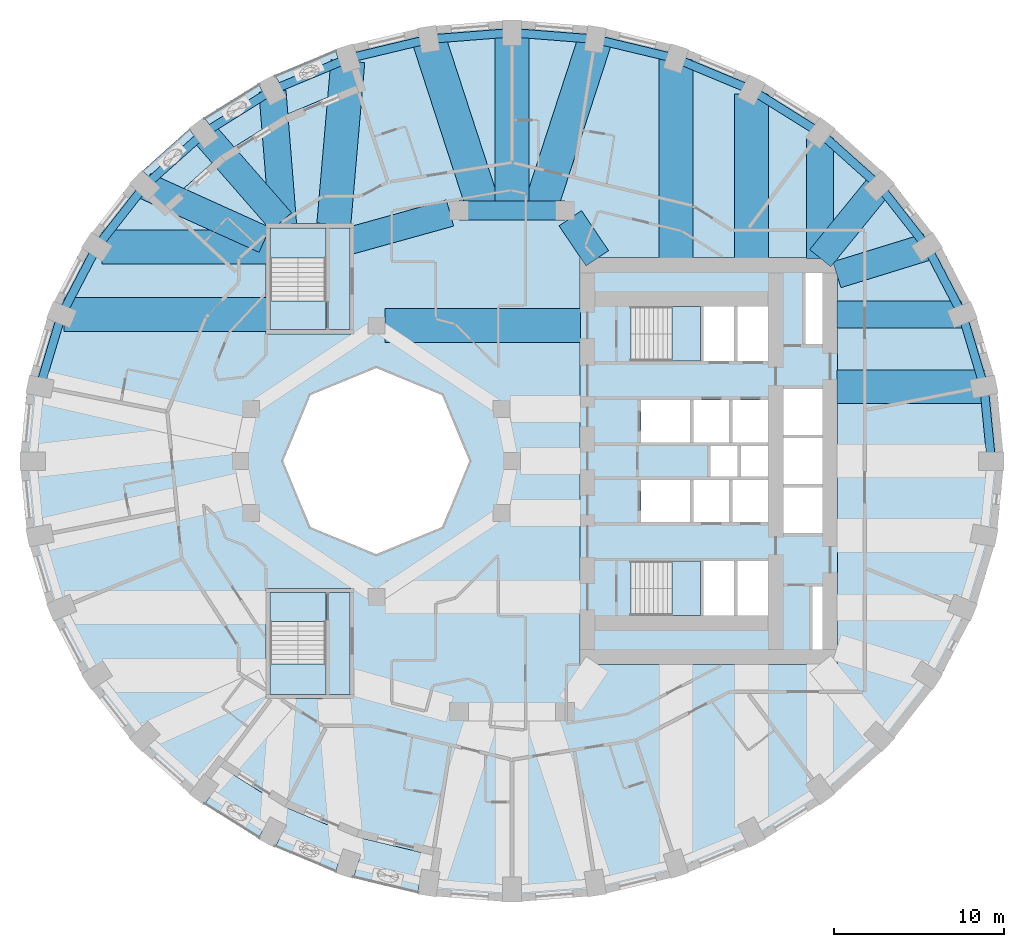
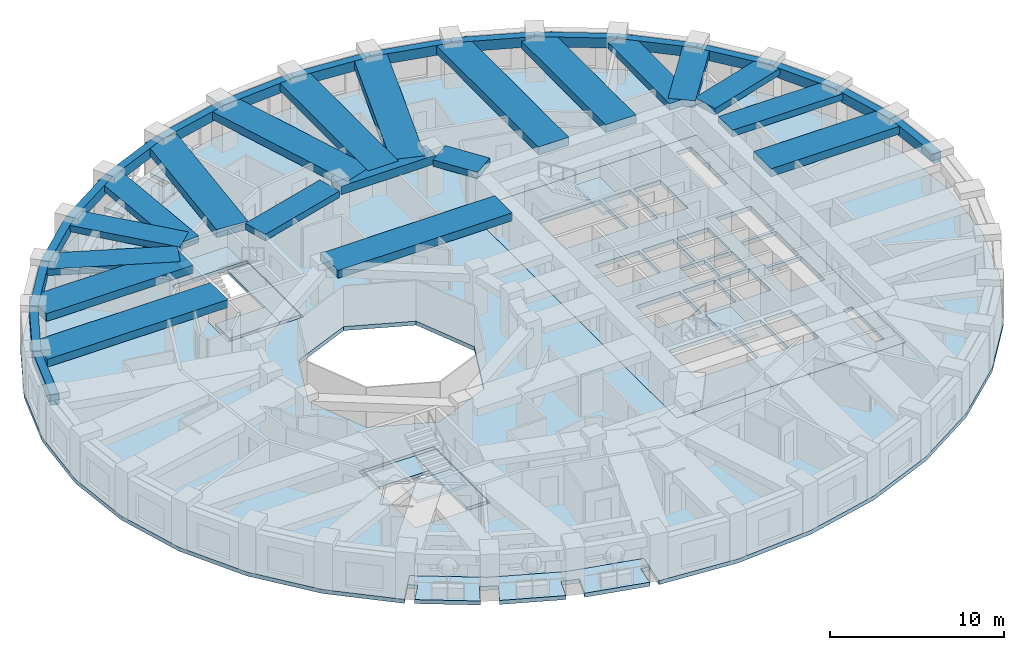
# One storey, part 2 of 13: 37 beams, 12 slabs, 4 elements without a shape of their own.
"""IFC4 building model written with IfcOpenShell, lengths in metres."""

from ifc_helpers import new_model, si_unit, direction, frame, origin, origin_2d, place, context, subcontext, project, spatial, polyline, rectangle, outline, extrude, material, layer, layer_set, material_profile, profile_set, type_object, element, aggregate, save


model = new_model("IFC4")

# Units and contexts
model_context = context("Model", 3, precision=1e-05, world=origin(), true_north=direction((0.0, 1.0)))
body_context = subcontext(model_context, "Body", "Model", "MODEL_VIEW")
ifc_project = project(units=[si_unit("LENGTHUNIT", "METRE"), si_unit("AREAUNIT", "SQUARE_METRE"), si_unit("VOLUMEUNIT", "CUBIC_METRE"), si_unit("PLANEANGLEUNIT", "RADIAN"), si_unit("MASSUNIT", "GRAM", prefix="KILO")], contexts=[model_context])

# Site, building, storey
site_placement = place(None, origin())
site = spatial("IfcSite", under=ifc_project, at=site_placement, CompositionType="ELEMENT")
building_placement = place(site_placement, origin())
building = spatial("IfcBuilding", under=site, at=building_placement, Name="Taillehof Tower", CompositionType="ELEMENT")
storey_placement = place(building_placement, frame((0.0, 0.0, 81.10009765625)))
storey = spatial("IfcBuildingStorey", under=building, at=storey_placement, Name="L22", CompositionType="ELEMENT", Elevation=81.10009765625)

# Beams
ifc_material_1 = material(Name="Concrete C50/60", Category="concrete")
ifc_material_profile_1 = material_profile(ifc_material_1, rectangle(XDim=1.10009765625, YDim=0.60009765625, at=origin_2d()), Name="RC 1100x600")
ifc_profile_set_1 = profile_set([ifc_material_profile_1], Name="Concrete C50/60")
beam_type_1 = type_object("IfcBeamType", Name="Mid-ring beam C50/60 1100x600", PredefinedType="BEAM", material=ifc_profile_set_1)
beam_1_placement = place(storey_placement, frame((3.125732421875, 14.772216796875, 2.5498046875), z_axis=(-1.0, 0.0, 0.0), x_axis=(0.0, -1.0, 0.0)))
element("IfcBeam", 1, at=beam_1_placement, inside=storey, type_object=beam_type_1, Name="Mid-ring beam MB01", PredefinedType="BEAM", context=body_context, shape_type="SweptSolid", body=[
    extrude(rectangle(XDim=1.10009765625, YDim=0.60009765625, at=origin_2d()), origin(), (0.0, 0.0, 1.0), 6.25146484375),
])
ifc_material_2 = material(Name="Concrete C50/60", Category="concrete")
ifc_material_profile_2 = material_profile(ifc_material_2, rectangle(XDim=1.60009765625, YDim=0.449951171875, at=origin_2d()), Name="RC 1600x450")
ifc_profile_set_2 = profile_set([ifc_material_profile_2], Name="Concrete C50/60")
beam_type_2 = type_object("IfcBeamType", Name="Radial band beam C50/60 1600x450", PredefinedType="BEAM", material=ifc_profile_set_2)
beam_2_placement = place(storey_placement, frame((26.490478515625, 8.635986328125, 2.625), z_axis=(-1.0, 0.0, 0.0), x_axis=(0.0, -1.0, 0.0)))
element("IfcBeam", 2, at=beam_2_placement, inside=storey, type_object=beam_type_2, Name="Radial band beam RB03", PredefinedType="BEAM", context=body_context, shape_type="SweptSolid", body=[
    extrude(rectangle(XDim=1.60009765625, YDim=0.449951171875, at=origin_2d()), origin(), (0.0, 0.0, 1.0), 7.340576171875),
])
beam_3_placement = place(storey_placement, frame((24.46533203125, 12.625, 2.625), z_axis=(-0.955535654338, -0.294875589511, 0.0), x_axis=(0.294875589511, -0.955535654338, 0.0)))
element("IfcBeam", 3, at=beam_3_placement, inside=storey, type_object=beam_type_2, Name="Radial band beam RB04", PredefinedType="BEAM", context=body_context, shape_type="SweptSolid", body=[
    extrude(rectangle(XDim=1.60009765625, YDim=0.449951171875, at=origin_2d()), origin(), (0.0, 0.0, 1.0), 5.560546875),
])
beam_4_placement = place(storey_placement, frame((21.640869140625, 16.23046875, 2.625), z_axis=(-0.630988373846, -0.775792286679, 0.0), x_axis=(0.775792286679, -0.630988373846, 0.0)))
element("IfcBeam", 4, at=beam_4_placement, inside=storey, type_object=beam_type_2, Name="Radial band beam RB05", PredefinedType="BEAM", context=body_context, shape_type="SweptSolid", body=[
    extrude(rectangle(XDim=1.60009765625, YDim=0.449951171875, at=origin_2d()), origin(), (0.0, 0.0, 1.0), 5.503173828125),
])
beam_5_placement = place(storey_placement, frame((18.15869140625, 19.05517578125, 2.625), z_axis=(0.0, -1.0, 0.0), x_axis=(1.0, 0.0, 0.0)))
element("IfcBeam", 5, at=beam_5_placement, inside=storey, type_object=beam_type_2, Name="Radial band beam RB06", PredefinedType="BEAM", context=body_context, shape_type="SweptSolid", body=[
    extrude(rectangle(XDim=1.60009765625, YDim=0.449951171875, at=origin_2d()), origin(), (0.0, 0.0, 1.0), 7.105224609375),
])
beam_6_placement = place(storey_placement, frame((-14.119873046875, 21.802978515625, 2.625), z_axis=(0.079184740988, -0.996859958467, 0.0), x_axis=(0.996859958467, 0.079184740988, 0.0)))
element("IfcBeam", 6, at=beam_6_placement, inside=storey, type_object=beam_type_2, Name="Radial band beam RB13", PredefinedType="BEAM", context=body_context, shape_type="SweptSolid", body=[
    extrude(rectangle(XDim=1.60009765625, YDim=0.449951171875, at=origin_2d()), origin(), (0.0, 0.0, 1.0), 7.87744140625),
])
beam_7_placement = place(storey_placement, frame((-18.15869140625, 19.342529296875, 2.625), z_axis=(0.65721824087, -0.753700327628, 0.0), x_axis=(0.753700327628, 0.65721824087, 0.0)))
element("IfcBeam", 7, at=beam_7_placement, inside=storey, type_object=beam_type_2, Name="Radial band beam RB14", PredefinedType="BEAM", context=body_context, shape_type="SweptSolid", body=[
    extrude(rectangle(XDim=1.60009765625, YDim=0.449951171875, at=origin_2d()), origin(), (0.0, 0.0, 1.0), 6.9384765625),
])
beam_8_placement = place(storey_placement, frame((-21.632568359375, 16.226806640625, 2.625), z_axis=(0.911100590789, -0.412184077161, 0.0), x_axis=(0.412184077161, 0.911100590789, 0.0)))
element("IfcBeam", 8, at=beam_8_placement, inside=storey, type_object=beam_type_2, Name="Radial band beam RB15", PredefinedType="BEAM", context=body_context, shape_type="SweptSolid", body=[
    extrude(rectangle(XDim=1.60009765625, YDim=0.449951171875, at=origin_2d()), origin(), (0.0, 0.0, 1.0), 7.740966796875),
])
beam_9_placement = place(storey_placement, frame((3.433837890625, 14.31640625, 2.625), z_axis=(0.560112043398, -0.828416862962, 0.0), x_axis=(0.828416862962, 0.560112043398, 0.0)))
element("IfcBeam", 9, at=beam_9_placement, inside=storey, type_object=beam_type_2, Name="Inner band beam IB205", PredefinedType="BEAM", context=body_context, shape_type="SweptSolid", body=[
    extrude(rectangle(XDim=1.60009765625, YDim=0.449951171875, at=origin_2d()), origin(), (0.0, 0.0, 1.0), 2.84619140625),
])
beam_10_placement = place(storey_placement, frame((-3.655517578125, 14.624755859375, 2.625), z_axis=(-0.963459369536, -0.267854518821, 0.0), x_axis=(0.267854518821, -0.963459369536, 0.0)))
element("IfcBeam", 10, at=beam_10_placement, inside=storey, type_object=beam_type_2, Name="Inner band beam IB206", PredefinedType="BEAM", context=body_context, shape_type="SweptSolid", body=[
    extrude(rectangle(XDim=1.60009765625, YDim=0.449951171875, at=origin_2d()), origin(), (0.0, 0.0, 1.0), 6.096923828125),
])
ifc_material_3 = material(Name="Concrete C50/60", Category="concrete")
ifc_material_profile_3 = material_profile(ifc_material_3, rectangle(XDim=2.0, YDim=0.550048828125, at=origin_2d()), Name="RC 2000x550")
ifc_profile_set_3 = profile_set([ifc_material_profile_3], Name="Concrete C50/60")
beam_type_3 = type_object("IfcBeamType", Name="Radial band beam C50/60 2000x550", PredefinedType="BEAM", material=ifc_profile_set_3)
beam_11_placement = place(storey_placement, frame((27.82080078125, 4.384521484375, 2.574951171875), z_axis=(-1.0, 0.0, 0.0), x_axis=(0.0, -1.0, 0.0)))
element("IfcBeam", 11, at=beam_11_placement, inside=storey, type_object=beam_type_3, Name="Radial band beam RB02", PredefinedType="BEAM", context=body_context, shape_type="SweptSolid", body=[
    extrude(rectangle(XDim=2.0, YDim=0.550048828125, at=origin_2d()), origin(), (0.0, 0.0, 1.0), 8.6708984375),
])
beam_12_placement = place(storey_placement, frame((14.125, 21.63232421875, 2.574951171875), z_axis=(0.0, -1.0, 0.0), x_axis=(1.0, 0.0, 0.0)))
element("IfcBeam", 12, at=beam_12_placement, inside=storey, type_object=beam_type_3, Name="Radial band beam RB07", PredefinedType="BEAM", context=body_context, shape_type="SweptSolid", body=[
    extrude(rectangle(XDim=2.0, YDim=0.550048828125, at=origin_2d()), origin(), (0.0, 0.0, 1.0), 9.682373046875),
])
beam_13_placement = place(storey_placement, frame((9.662109375, 23.664794921875, 2.574951171875), z_axis=(0.0, -1.0, 0.0), x_axis=(1.0, 0.0, 0.0)))
element("IfcBeam", 13, at=beam_13_placement, inside=storey, type_object=beam_type_3, Name="Radial band beam RB08", PredefinedType="BEAM", context=body_context, shape_type="SweptSolid", body=[
    extrude(rectangle(XDim=2.0, YDim=0.550048828125, at=origin_2d()), origin(), (0.0, 0.0, 1.0), 11.71484375),
])
beam_14_placement = place(storey_placement, frame((4.905517578125, 24.866455078125, 2.574951171875), z_axis=(-0.309014294595, -0.951057393503, 0.0), x_axis=(0.951057393503, -0.309014294595, 0.0)))
element("IfcBeam", 14, at=beam_14_placement, inside=storey, type_object=beam_type_3, Name="Radial band beam RB09", PredefinedType="BEAM", context=body_context, shape_type="SweptSolid", body=[
    extrude(rectangle(XDim=2.0, YDim=0.550048828125, at=origin_2d()), origin(), (0.0, 0.0, 1.0), 10.61376953125),
])
beam_15_placement = place(storey_placement, frame((0.0, 25.25, 2.574951171875), z_axis=(0.0, -1.0, 0.0), x_axis=(1.0, 0.0, 0.0)))
element("IfcBeam", 15, at=beam_15_placement, inside=storey, type_object=beam_type_3, Name="Radial band beam RB10", PredefinedType="BEAM", context=body_context, shape_type="SweptSolid", body=[
    extrude(rectangle(XDim=2.0, YDim=0.550048828125, at=origin_2d()), origin(), (0.0, 0.0, 1.0), 10.477783203125),
])
beam_16_placement = place(storey_placement, frame((-4.905517578125, 24.866455078125, 2.574951171875), z_axis=(0.309014294595, -0.951057393503, 0.0), x_axis=(0.951057393503, 0.309014294595, 0.0)))
element("IfcBeam", 16, at=beam_16_placement, inside=storey, type_object=beam_type_3, Name="Radial band beam RB11", PredefinedType="BEAM", context=body_context, shape_type="SweptSolid", body=[
    extrude(rectangle(XDim=2.0, YDim=0.550048828125, at=origin_2d()), origin(), (0.0, 0.0, 1.0), 10.61376953125),
])
beam_17_placement = place(storey_placement, frame((-9.675048828125, 23.575927734375, 2.574951171875), z_axis=(-0.085841202752, -0.996308831593, 0.0), x_axis=(0.996308831593, -0.085841202752, 0.0)))
element("IfcBeam", 17, at=beam_17_placement, inside=storey, type_object=beam_type_3, Name="Radial band beam RB12", PredefinedType="BEAM", context=body_context, shape_type="SweptSolid", body=[
    extrude(rectangle(XDim=2.0, YDim=0.550048828125, at=origin_2d()), origin(), (0.0, 0.0, 1.0), 9.661376953125),
])
beam_18_placement = place(storey_placement, frame((-24.172607421875, 12.625, 2.574951171875), z_axis=(1.0, 0.0, 0.0), x_axis=(0.0, 1.0, 0.0)))
element("IfcBeam", 18, at=beam_18_placement, inside=storey, type_object=beam_type_3, Name="Radial band beam RB16", PredefinedType="BEAM", context=body_context, shape_type="SweptSolid", body=[
    extrude(rectangle(XDim=2.0, YDim=0.550048828125, at=origin_2d()), origin(), (0.0, 0.0, 1.0), 9.72265625),
])
beam_19_placement = place(storey_placement, frame((-26.408935546875, 8.635986328125, 2.574951171875), z_axis=(1.0, 0.0, 0.0), x_axis=(0.0, 1.0, 0.0)))
element("IfcBeam", 19, at=beam_19_placement, inside=storey, type_object=beam_type_3, Name="Radial band beam RB17", PredefinedType="BEAM", context=body_context, shape_type="SweptSolid", body=[
    extrude(rectangle(XDim=2.0, YDim=0.550048828125, at=origin_2d()), origin(), (0.0, 0.0, 1.0), 11.958984375),
])
beam_20_placement = place(storey_placement, frame((-7.5, 8.0, 2.574951171875), z_axis=(1.0, 0.0, 0.0), x_axis=(0.0, 1.0, 0.0)))
element("IfcBeam", 20, at=beam_20_placement, inside=storey, type_object=beam_type_3, Name="Inner band beam IB105", PredefinedType="BEAM", context=body_context, shape_type="SweptSolid", body=[
    extrude(rectangle(XDim=2.0, YDim=0.550048828125, at=origin_2d()), origin(), (0.0, 0.0, 1.0), 11.550048828125),
])
ifc_material_4 = material(Name="Concrete C50/60", Category="concrete")
ifc_material_profile_4 = material_profile(ifc_material_4, rectangle(XDim=0.5, YDim=0.699951171875, at=origin_2d()), Name="RC 500x700")
ifc_profile_set_4 = profile_set([ifc_material_profile_4], Name="Concrete C50/60")
beam_type_4 = type_object("IfcBeamType", Name="Spandrel beam C50/60 500x700", PredefinedType="SPANDREL", material=ifc_profile_set_4)
beam_21_placement = place(storey_placement, frame((28.25, 0.0, 2.5), z_axis=(-0.097423973567, 0.99524297002, 0.0), x_axis=(-0.99524297002, -0.097423973567, 0.0)))
element("IfcBeam", 21, at=beam_21_placement, inside=storey, type_object=beam_type_4, Name="Spandrel beam SB01", PredefinedType="SPANDREL", context=body_context, shape_type="SweptSolid", body=[
    extrude(rectangle(XDim=0.5, YDim=0.699951171875, at=origin_2d()), origin(), (0.0, 0.0, 1.0), 4.405517578125),
])
beam_22_placement = place(storey_placement, frame((27.82080078125, 4.384521484375, 2.5), z_axis=(-0.287135925407, 0.957889847707, 0.0), x_axis=(-0.957889847707, -0.287135925407, 0.0)))
element("IfcBeam", 22, at=beam_22_placement, inside=storey, type_object=beam_type_4, Name="Spandrel beam SB02", PredefinedType="SPANDREL", context=body_context, shape_type="SweptSolid", body=[
    extrude(rectangle(XDim=0.5, YDim=0.699951171875, at=origin_2d()), origin(), (0.0, 0.0, 1.0), 4.4384765625),
])
beam_23_placement = place(storey_placement, frame((26.54638671875, 8.635986328125, 2.5), z_axis=(-0.462536335232, 0.886600326297, 0.0), x_axis=(-0.886600326297, -0.462536335232, 0.0)))
element("IfcBeam", 23, at=beam_23_placement, inside=storey, type_object=beam_type_4, Name="Spandrel beam SB03", PredefinedType="SPANDREL", context=body_context, shape_type="SweptSolid", body=[
    extrude(rectangle(XDim=0.5, YDim=0.699951171875, at=origin_2d()), origin(), (0.0, 0.0, 1.0), 4.499267578125),
])
beam_24_placement = place(storey_placement, frame((24.46533203125, 12.625, 2.5), z_axis=(-0.616686200373, 0.787209076593, 0.0), x_axis=(-0.787209076593, -0.616686200373, 0.0)))
element("IfcBeam", 24, at=beam_24_placement, inside=storey, type_object=beam_type_4, Name="Spandrel beam SB04", PredefinedType="SPANDREL", context=body_context, shape_type="SweptSolid", body=[
    extrude(rectangle(XDim=0.5, YDim=0.699951171875, at=origin_2d()), origin(), (0.0, 0.0, 1.0), 4.580078125),
])
beam_25_placement = place(storey_placement, frame((21.640869140625, 16.23046875, 2.5), z_axis=(-0.745621283614, 0.666369943366, 0.0), x_axis=(-0.666369943366, -0.745621283614, 0.0)))
element("IfcBeam", 25, at=beam_25_placement, inside=storey, type_object=beam_type_4, Name="Spandrel beam SB05", PredefinedType="SPANDREL", context=body_context, shape_type="SweptSolid", body=[
    extrude(rectangle(XDim=0.5, YDim=0.699951171875, at=origin_2d()), origin(), (0.0, 0.0, 1.0), 4.670166015625),
])
beam_26_placement = place(storey_placement, frame((18.15869140625, 19.342529296875, 2.5), z_axis=(-0.847658018883, 0.530543007703, 0.0), x_axis=(-0.530543007703, -0.847658018883, 0.0)))
element("IfcBeam", 26, at=beam_26_placement, inside=storey, type_object=beam_type_4, Name="Spandrel beam SB06", PredefinedType="SPANDREL", context=body_context, shape_type="SweptSolid", body=[
    extrude(rectangle(XDim=0.5, YDim=0.699951171875, at=origin_2d()), origin(), (0.0, 0.0, 1.0), 4.758544921875),
])
beam_27_placement = place(storey_placement, frame((14.125, 21.8671875, 2.5), z_axis=(-0.923035088053, 0.384715773297, 0.0), x_axis=(-0.384715773297, -0.923035088053, 0.0)))
element("IfcBeam", 27, at=beam_27_placement, inside=storey, type_object=beam_type_4, Name="Spandrel beam SB07", PredefinedType="SPANDREL", context=body_context, shape_type="SweptSolid", body=[
    extrude(rectangle(XDim=0.5, YDim=0.699951171875, at=origin_2d()), origin(), (0.0, 0.0, 1.0), 4.8349609375),
])
beam_28_placement = place(storey_placement, frame((9.662109375, 23.727294921875, 2.5), z_axis=(-0.9724995553, 0.232904733616, 0.0), x_axis=(-0.232904733616, -0.9724995553, 0.0)))
element("IfcBeam", 28, at=beam_28_placement, inside=storey, type_object=beam_type_4, Name="Spandrel beam SB08", PredefinedType="SPANDREL", context=body_context, shape_type="SweptSolid", body=[
    extrude(rectangle(XDim=0.5, YDim=0.699951171875, at=origin_2d()), origin(), (0.0, 0.0, 1.0), 4.89111328125),
])
for number, where, z_axis, x_axis, name in (
    (29, (4.905517578125, 24.866455078125, 2.5), (-0.996957383661, 0.077948541767, 0.0), (-0.077948541767, -0.996957383661, 0.0), "Spandrel beam SB09"),
    (30, (0.0, 25.25, 2.5), (-0.996957383661, -0.077948541767, 0.0), (0.077948541767, -0.996957383661, 0.0), "Spandrel beam SB10"),
):
    element("IfcBeam", number, at=place(storey_placement, frame(where, z_axis=z_axis, x_axis=x_axis)), inside=storey, type_object=beam_type_4, Name=name, PredefinedType="SPANDREL", context=body_context, shape_type="SweptSolid", body=[
        extrude(rectangle(XDim=0.5, YDim=0.699951171875, at=origin_2d()), origin(), (0.0, 0.0, 1.0), 4.92041015625),
    ])
beam_29_placement = place(storey_placement, frame((-4.905517578125, 24.866455078125, 2.5), z_axis=(-0.9724995553, -0.232904733616, 0.0), x_axis=(0.232904733616, -0.9724995553, 0.0)))
element("IfcBeam", 31, at=beam_29_placement, inside=storey, type_object=beam_type_4, Name="Spandrel beam SB11", PredefinedType="SPANDREL", context=body_context, shape_type="SweptSolid", body=[
    extrude(rectangle(XDim=0.5, YDim=0.699951171875, at=origin_2d()), origin(), (0.0, 0.0, 1.0), 4.89111328125),
])
beam_30_placement = place(storey_placement, frame((-9.662109375, 23.727294921875, 2.5), z_axis=(-0.923035088053, -0.384715773297, 0.0), x_axis=(0.384715773297, -0.923035088053, 0.0)))
element("IfcBeam", 32, at=beam_30_placement, inside=storey, type_object=beam_type_4, Name="Spandrel beam SB12", PredefinedType="SPANDREL", context=body_context, shape_type="SweptSolid", body=[
    extrude(rectangle(XDim=0.5, YDim=0.699951171875, at=origin_2d()), origin(), (0.0, 0.0, 1.0), 4.8349609375),
])
beam_31_placement = place(storey_placement, frame((-14.125, 21.8671875, 2.5), z_axis=(-0.847658018883, -0.530543007703, 0.0), x_axis=(0.530543007703, -0.847658018883, 0.0)))
element("IfcBeam", 33, at=beam_31_placement, inside=storey, type_object=beam_type_4, Name="Spandrel beam SB13", PredefinedType="SPANDREL", context=body_context, shape_type="SweptSolid", body=[
    extrude(rectangle(XDim=0.5, YDim=0.699951171875, at=origin_2d()), origin(), (0.0, 0.0, 1.0), 4.758544921875),
])
beam_32_placement = place(storey_placement, frame((-18.15869140625, 19.342529296875, 2.5), z_axis=(-0.745621283614, -0.666369943366, 0.0), x_axis=(0.666369943366, -0.745621283614, 0.0)))
element("IfcBeam", 34, at=beam_32_placement, inside=storey, type_object=beam_type_4, Name="Spandrel beam SB14", PredefinedType="SPANDREL", context=body_context, shape_type="SweptSolid", body=[
    extrude(rectangle(XDim=0.5, YDim=0.699951171875, at=origin_2d()), origin(), (0.0, 0.0, 1.0), 4.670166015625),
])
beam_33_placement = place(storey_placement, frame((-21.640869140625, 16.23046875, 2.5), z_axis=(-0.616686200373, -0.787209076593, 0.0), x_axis=(0.787209076593, -0.616686200373, 0.0)))
element("IfcBeam", 35, at=beam_33_placement, inside=storey, type_object=beam_type_4, Name="Spandrel beam SB15", PredefinedType="SPANDREL", context=body_context, shape_type="SweptSolid", body=[
    extrude(rectangle(XDim=0.5, YDim=0.699951171875, at=origin_2d()), origin(), (0.0, 0.0, 1.0), 4.580078125),
])
beam_34_placement = place(storey_placement, frame((-24.46533203125, 12.625, 2.5), z_axis=(-0.462536335232, -0.886600326297, 0.0), x_axis=(0.886600326297, -0.462536335232, 0.0)))
element("IfcBeam", 36, at=beam_34_placement, inside=storey, type_object=beam_type_4, Name="Spandrel beam SB16", PredefinedType="SPANDREL", context=body_context, shape_type="SweptSolid", body=[
    extrude(rectangle(XDim=0.5, YDim=0.699951171875, at=origin_2d()), origin(), (0.0, 0.0, 1.0), 4.499267578125),
])
beam_35_placement = place(storey_placement, frame((-26.54638671875, 8.635986328125, 2.5), z_axis=(-0.287135925407, -0.957889847707, 0.0), x_axis=(0.957889847707, -0.287135925407, 0.0)))
element("IfcBeam", 37, at=beam_35_placement, inside=storey, type_object=beam_type_4, Name="Spandrel beam SB17", PredefinedType="SPANDREL", context=body_context, shape_type="SweptSolid", body=[
    extrude(rectangle(XDim=0.5, YDim=0.699951171875, at=origin_2d()), origin(), (0.0, 0.0, 1.0), 4.4384765625),
])

# Slabs
ifc_material_5 = material(Name="Concrete C40/50", Category="concrete")
ifc_layer_1 = layer(ifc_material_5, 0.280029296875)
ifc_layer_set_1 = layer_set([ifc_layer_1], Name="Balcony slab 280")
slab_type_1 = type_object("IfcSlabType", Name="Balcony slab 280", PredefinedType="USERDEFINED", material=ifc_layer_set_1)
slab_1_placement = place(storey_placement, frame((0.0, 0.0, -0.280029296875)))
element("IfcSlab", 38, at=slab_1_placement, inside=storey, type_object=slab_type_1, Name="Balcony L22 pocket 3", ObjectType="BALCONY", PredefinedType="USERDEFINED", context=body_context, shape_type="SweptSolid", body=[
    extrude(outline(polyline([(-20.463134765625, 15.072509765625), (-21.120849609375, 15.688232421875), (-20.71728515625, 16.119384765625), (-21.77392578125, 17.108154296875), (-19.02197265625, 19.575439453125), (-18.1474609375, 18.41259765625), (-17.268310546875, 19.073974609375), (-18.139404296875, 20.23193359375), (-14.938232421875, 22.24169921875), (-14.2685546875, 20.9482421875), (-13.291748046875, 21.453857421875), (-13.958984375, 22.742919921875), (-10.404296875, 24.22900390625), (-9.9521484375, 22.843505859375), (-9.453369140625, 23.00634765625), (-9.174072265625, 22.150390625), (-13.396728515625, 20.38525390625), (-17.197998046875, 17.999267578125), (-20.463134765625, 15.072509765625)])), origin(), (0.0, 0.0, 1.0), 0.280029296875),
])
slab_2_placement = place(storey_placement, frame((0.0, 0.0, -0.280029296875)))
element("IfcSlab", 39, at=slab_2_placement, inside=storey, type_object=slab_type_1, Name="Balcony L22 pocket 7", ObjectType="BALCONY", PredefinedType="USERDEFINED", context=body_context, shape_type="SweptSolid", body=[
    extrude(outline(polyline([(-4.6611328125, -23.234375), (-4.801513671875, -24.12353515625), (-5.331787109375, -24.039794921875), (-5.559326171875, -25.479248046875), (-9.357421875, -24.56689453125), (-8.906494140625, -23.184814453125), (-9.9521484375, -22.843505859375), (-10.404296875, -24.22900390625), (-13.958984375, -22.742919921875), (-13.291748046875, -21.453857421875), (-14.2685546875, -20.9482421875), (-14.938232421875, -22.24169921875), (-18.139404296875, -20.23193359375), (-17.268310546875, -19.073974609375), (-17.73974609375, -18.71923828125), (-17.197998046875, -17.999267578125), (-13.396728515625, -20.38525390625), (-9.174072265625, -22.150390625), (-4.6611328125, -23.234375)])), origin(), (0.0, 0.0, 1.0), 0.280029296875),
])
ifc_material_6 = material(Name="Concrete C40/50", Category="concrete")
ifc_layer_2 = layer(ifc_material_6, 0.280029296875)
ifc_layer_set_2 = layer_set([ifc_layer_2], Name="Core floor slab C40/50 280")
slab_type_2 = type_object("IfcSlabType", Name="Core floor slab C40/50 280", PredefinedType="FLOOR", material=ifc_layer_set_2)
slab_3_placement = place(storey_placement, frame((0.0, 0.0, -0.280029296875)))
element("IfcSlab", 40, at=slab_3_placement, inside=storey, type_object=slab_type_2, Name="Core floor L22", PredefinedType="FLOOR", context=body_context, shape_type="SweptSolid", body=[
    extrude(outline(polyline([(4.0, -12.0), (4.0, 12.0), (19.199951171875, 12.0), (19.199951171875, -12.0), (4.0, -12.0)]), holes=[polyline([(7.00048828125, -9.10009765625), (11.10009765625, -9.10009765625), (11.10009765625, -5.89990234375), (7.00048828125, -5.89990234375), (7.00048828125, -9.10009765625)]), polyline([(13.10009765625, -9.10009765625), (13.10009765625, -5.89990234375), (11.300048828125, -5.89990234375), (11.300048828125, -9.10009765625), (13.10009765625, -9.10009765625)]), polyline([(10.5, -3.60009765625), (10.5, -1.10009765625), (7.60009765625, -1.10009765625), (7.60009765625, -3.60009765625), (10.5, -3.60009765625)]), polyline([(12.800048828125, -3.60009765625), (12.800048828125, -1.10009765625), (10.699951171875, -1.10009765625), (10.699951171875, -3.60009765625), (12.800048828125, -3.60009765625)]), polyline([(13.300048828125, -0.89990234375), (13.300048828125, 0.89990234375), (11.699951171875, 0.89990234375), (11.699951171875, -0.89990234375), (13.300048828125, -0.89990234375)]), polyline([(10.5, 1.10009765625), (10.5, 3.60009765625), (7.60009765625, 3.60009765625), (7.60009765625, 1.10009765625), (10.5, 1.10009765625)]), polyline([(12.800048828125, 1.10009765625), (12.800048828125, 3.60009765625), (10.699951171875, 3.60009765625), (10.699951171875, 1.10009765625), (12.800048828125, 1.10009765625)]), polyline([(13.0, 1.10009765625), (15.10009765625, 1.10009765625), (15.10009765625, 3.60009765625), (13.0, 3.60009765625), (13.0, 1.10009765625)]), polyline([(11.300048828125, 5.89990234375), (13.10009765625, 5.89990234375), (13.10009765625, 9.10009765625), (11.300048828125, 9.10009765625), (11.300048828125, 5.89990234375)]), polyline([(11.10009765625, 5.89990234375), (11.10009765625, 9.10009765625), (7.00048828125, 9.10009765625), (7.00048828125, 5.89990234375), (11.10009765625, 5.89990234375)]), polyline([(18.300048828125, -11.10009765625), (18.300048828125, -7.39990234375), (17.699951171875, -7.39990234375), (17.699951171875, -11.10009765625), (18.300048828125, -11.10009765625)]), polyline([(15.10009765625, -9.10009765625), (15.10009765625, -5.89990234375), (13.300048828125, -5.89990234375), (13.300048828125, -9.10009765625), (15.10009765625, -9.10009765625)]), polyline([(16.0, -4.25), (18.300048828125, -4.25), (18.300048828125, -1.550048828125), (16.0, -1.550048828125), (16.0, -4.25)]), polyline([(13.0, -3.60009765625), (15.10009765625, -3.60009765625), (15.10009765625, -1.10009765625), (13.0, -1.10009765625), (13.0, -3.60009765625)]), polyline([(15.10009765625, -0.89990234375), (15.10009765625, 0.89990234375), (13.5, 0.89990234375), (13.5, -0.89990234375), (15.10009765625, -0.89990234375)]), polyline([(18.300048828125, -1.35009765625), (18.300048828125, 1.35009765625), (16.0, 1.35009765625), (16.0, -1.35009765625), (18.300048828125, -1.35009765625)]), polyline([(18.300048828125, 1.550048828125), (18.300048828125, 4.25), (16.0, 4.25), (16.0, 1.550048828125), (18.300048828125, 1.550048828125)]), polyline([(13.300048828125, 5.89990234375), (15.10009765625, 5.89990234375), (15.10009765625, 9.10009765625), (13.300048828125, 9.10009765625), (13.300048828125, 5.89990234375)]), polyline([(17.300048828125, 6.89990234375), (18.300048828125, 6.89990234375), (18.300048828125, 11.10009765625), (17.300048828125, 11.10009765625), (17.300048828125, 6.89990234375)])]), origin(), (0.0, 0.0, 1.0), 0.280029296875),
])
ifc_material_7 = material(Name="Concrete C40/50", Category="concrete")
ifc_layer_3 = layer(ifc_material_7, 0.280029296875)
ifc_layer_set_3 = layer_set([ifc_layer_3], Name="Floor slab 280")
slab_type_3 = type_object("IfcSlabType", Name="Floor slab 280", PredefinedType="FLOOR", material=ifc_layer_set_3)
slab_4_placement = place(storey_placement, frame((0.0, 0.0, -0.280029296875)))
element("IfcSlab", 41, at=slab_4_placement, inside=storey, type_object=slab_type_3, Name="Floor slab L22", PredefinedType="FLOOR", context=body_context, shape_type="SweptSolid", body=[
    extrude(outline(polyline([(29.0, 0.0), (28.559326171875, 4.514892578125), (27.251220703125, 8.892578125), (25.11474609375, 13.0), (22.21533203125, 16.71240234375), (18.640869140625, 19.917236328125), (14.5, 22.5166015625), (9.918701171875, 24.431884765625), (5.035888671875, 25.60498046875), (0.0, 26.0), (-5.035888671875, 25.60498046875), (-9.918701171875, 24.431884765625), (-9.174072265625, 22.150390625), (-13.396728515625, 20.38525390625), (-17.197998046875, 17.999267578125), (-20.462890625, 15.072509765625), (-22.21533203125, 16.71240234375), (-25.11474609375, 13.0), (-27.251220703125, 8.892578125), (-28.559326171875, 4.514892578125), (-29.0, 0.0), (-28.559326171875, -4.514892578125), (-27.251220703125, -8.892578125), (-25.11474609375, -13.0), (-22.21533203125, -16.71240234375), (-18.640869140625, -19.917236328125), (-17.197998046875, -17.999267578125), (-13.396728515625, -20.38525390625), (-9.174072265625, -22.150390625), (-4.660888671875, -23.234375), (-5.035888671875, -25.60498046875), (0.0, -26.0), (5.035888671875, -25.60498046875), (9.918701171875, -24.431884765625), (14.5, -22.5166015625), (18.640869140625, -19.917236328125), (22.21533203125, -16.71240234375), (25.11474609375, -13.0), (27.251220703125, -8.892578125), (28.559326171875, -4.514892578125), (29.0, 0.0)]), holes=[polyline([(-14.5, -7.5), (-9.5, -7.5), (-9.5, -14.0), (-14.5, -14.0), (-14.5, -7.5)]), polyline([(-8.0, -5.5), (-11.88916015625, -3.88916015625), (-13.5, 0.0), (-11.88916015625, 3.88916015625), (-8.0, 5.5), (-4.11083984375, 3.88916015625), (-2.5, 0.0), (-4.11083984375, -3.88916015625), (-8.0, -5.5)]), polyline([(19.199951171875, 12.0), (19.199951171875, -12.0), (4.0, -12.0), (4.0, 12.0), (19.199951171875, 12.0)]), polyline([(-14.5, 14.0), (-9.5, 14.0), (-9.5, 7.5), (-14.5, 7.5), (-14.5, 14.0)])]), origin(), (0.0, 0.0, 1.0), 0.280029296875),
])

# Stair, slab
ifc_material_8 = material(Name="Concrete C40/50", Category="concrete")
stair_type = type_object("IfcStairType", Name="Exit stair half-turn", PredefinedType="HALF_TURN_STAIR", material=ifc_material_8)
stair_1_placement = place(storey_placement, origin())
stair_1 = element("IfcStair", 42, at=stair_1_placement, inside=storey, type_object=stair_type, Name="Exit stair S1", PredefinedType="HALF_TURN_STAIR")
ifc_material_9 = material(Name="Concrete C40/50", Category="concrete")
ifc_layer_4 = layer(ifc_material_9, 0.2099609375)
ifc_layer_set_4 = layer_set([ifc_layer_4], Name="Stair landing C40/50 210")
slab_type_4 = type_object("IfcSlabType", Name="Stair landing C40/50 210", PredefinedType="LANDING", material=ifc_layer_set_4)
slab_5_placement = place(storey_placement, frame((0.0, 0.0, 1.43994140625)))
slab_5 = element("IfcSlab", 43, at=slab_5_placement, type_object=slab_type_4, Name="S1 landing 1", PredefinedType="LANDING", context=body_context, shape_type="SweptSolid", body=[
    extrude(outline(polyline([(9.429931640625, 5.89990234375), (11.10009765625, 5.89990234375), (11.10009765625, 9.10009765625), (9.429931640625, 9.10009765625), (9.429931640625, 5.89990234375)])), origin(), (0.0, 0.0, 1.0), 0.2099609375),
])
aggregate(stair_1, [slab_5])

stair_2_placement = place(storey_placement, origin())
stair_2 = element("IfcStair", 44, at=stair_2_placement, inside=storey, type_object=stair_type, Name="Exit stair S2", PredefinedType="HALF_TURN_STAIR")
slab_6_placement = place(storey_placement, frame((0.0, 0.0, 1.43994140625)))
slab_6 = element("IfcSlab", 45, at=slab_6_placement, type_object=slab_type_4, Name="S2 landing 1", PredefinedType="LANDING", context=body_context, shape_type="SweptSolid", body=[
    extrude(outline(polyline([(9.429931640625, -5.89990234375), (11.10009765625, -5.89990234375), (11.10009765625, -9.10009765625), (9.429931640625, -9.10009765625), (9.429931640625, -5.89990234375)])), origin(), (0.0, 0.0, 1.0), 0.2099609375),
])
aggregate(stair_2, [slab_6])

stair_3_placement = place(storey_placement, origin())
stair_3 = element("IfcStair", 46, at=stair_3_placement, inside=storey, type_object=stair_type, Name="Exit stair S3", PredefinedType="HALF_TURN_STAIR")
slab_7_placement = place(storey_placement, frame((0.0, 0.0, 1.43994140625)))
slab_7 = element("IfcSlab", 47, at=slab_7_placement, type_object=slab_type_4, Name="S3 landing 1", PredefinedType="LANDING", context=body_context, shape_type="SweptSolid", body=[
    extrude(outline(polyline([(-14.25, 11.969970703125), (-14.25, 13.75), (-10.949951171875, 13.75), (-10.949951171875, 11.969970703125), (-14.25, 11.969970703125)])), origin(), (0.0, 0.0, 1.0), 0.2099609375),
])
aggregate(stair_3, [slab_7])

stair_4_placement = place(storey_placement, origin())
stair_4 = element("IfcStair", 48, at=stair_4_placement, inside=storey, type_object=stair_type, Name="Exit stair S4", PredefinedType="HALF_TURN_STAIR")
slab_8_placement = place(storey_placement, frame((0.0, 0.0, 1.43994140625)))
slab_8 = element("IfcSlab", 49, at=slab_8_placement, type_object=slab_type_4, Name="S4 landing 1", PredefinedType="LANDING", context=body_context, shape_type="SweptSolid", body=[
    extrude(outline(polyline([(-14.25, -11.969970703125), (-14.25, -13.75), (-10.949951171875, -13.75), (-10.949951171875, -11.969970703125), (-14.25, -11.969970703125)])), origin(), (0.0, 0.0, 1.0), 0.2099609375),
])
aggregate(stair_4, [slab_8])

# Slabs
slab_9_placement = place(storey_placement, frame((0.0, 0.0, -0.210205078125)))
element("IfcSlab", 50, at=slab_9_placement, inside=storey, type_object=slab_type_4, Name="Stair S3 floor landing", PredefinedType="LANDING", context=body_context, shape_type="SweptSolid", body=[
    extrude(outline(polyline([(-14.25, 7.75), (-14.25, 9.449951171875), (-10.949951171875, 9.449951171875), (-10.949951171875, 7.75), (-14.25, 7.75)])), origin(), (0.0, 0.0, 1.0), 0.210205078125),
])
slab_10_placement = place(storey_placement, frame((0.0, 0.0, -0.210205078125)))
element("IfcSlab", 51, at=slab_10_placement, inside=storey, type_object=slab_type_4, Name="Stair lobby S3 floor", PredefinedType="LANDING", context=body_context, shape_type="SweptSolid", body=[
    extrude(outline(polyline([(-10.949951171875, 7.75), (-9.550048828125, 7.75), (-9.550048828125, 13.75), (-10.949951171875, 13.75), (-10.949951171875, 7.75)])), origin(), (0.0, 0.0, 1.0), 0.210205078125),
])
slab_11_placement = place(storey_placement, frame((0.0, 0.0, -0.210205078125)))
element("IfcSlab", 52, at=slab_11_placement, inside=storey, type_object=slab_type_4, Name="Stair S4 floor landing", PredefinedType="LANDING", context=body_context, shape_type="SweptSolid", body=[
    extrude(outline(polyline([(-14.25, -7.75), (-14.25, -9.449951171875), (-10.949951171875, -9.449951171875), (-10.949951171875, -7.75), (-14.25, -7.75)])), origin(), (0.0, 0.0, 1.0), 0.210205078125),
])
slab_12_placement = place(storey_placement, frame((0.0, 0.0, -0.210205078125)))
element("IfcSlab", 53, at=slab_12_placement, inside=storey, type_object=slab_type_4, Name="Stair lobby S4 floor", PredefinedType="LANDING", context=body_context, shape_type="SweptSolid", body=[
    extrude(outline(polyline([(-10.949951171875, -13.75), (-9.550048828125, -13.75), (-9.550048828125, -7.75), (-10.949951171875, -7.75), (-10.949951171875, -13.75)])), origin(), (0.0, 0.0, 1.0), 0.210205078125),
])

save(model, "model.ifc")
